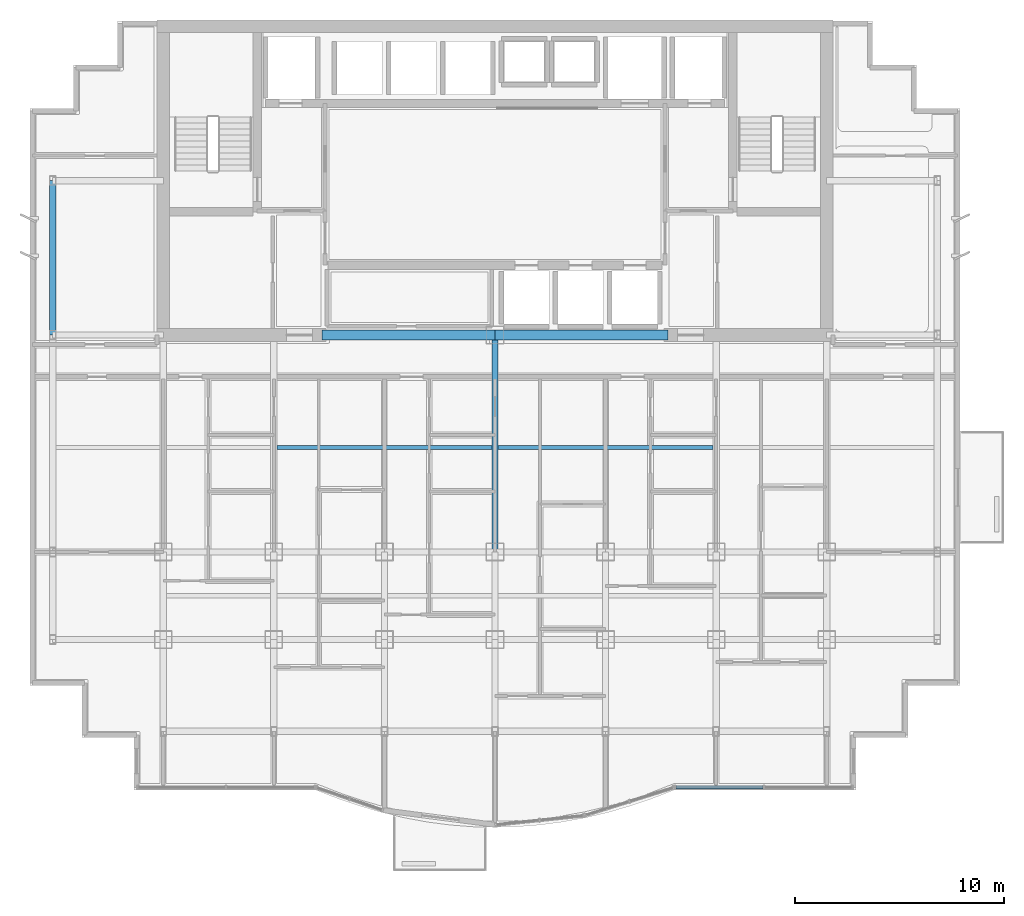
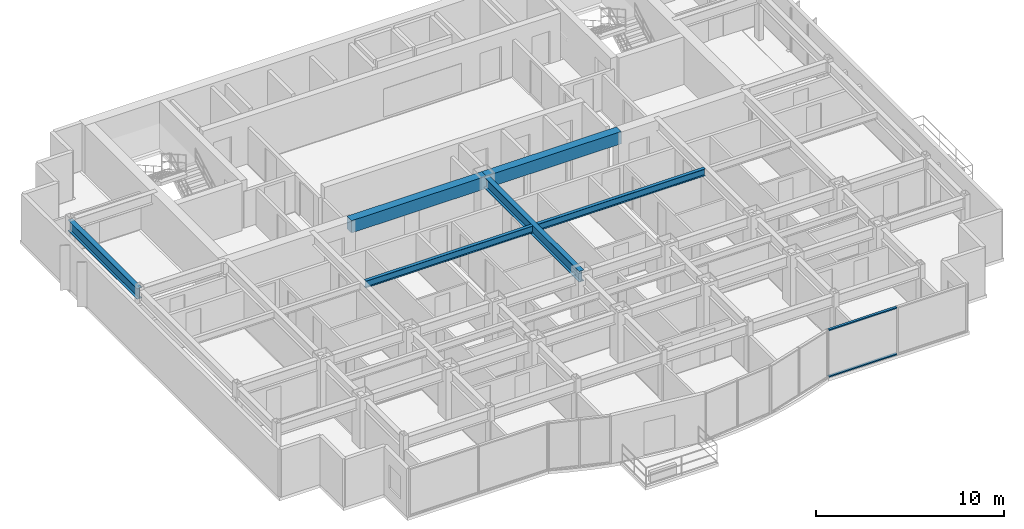
# One storey, part 3 of 11: 6 beams, 2 members, 1 element without a shape of its own.
"""IFC4 building model written with IfcOpenShell, lengths in metres."""

from ifc_helpers import new_model, si_unit, direction, frame, origin, origin_2d, place, context, subcontext, project, spatial, rectangle, i_section, extrude, source, transform, mapped, material, layer, layer_set, material_profile, profile_set, type_object, element, aggregate, save


model = new_model("IFC4")

# Units and contexts
model_context = context("Model", 3, precision=1e-05, world=origin(), true_north=direction((0.0, 1.0)))
body_context = subcontext(model_context, "Body", "Model", "MODEL_VIEW")
ifc_project = project(units=[si_unit("LENGTHUNIT", "METRE"), si_unit("AREAUNIT", "SQUARE_METRE"), si_unit("VOLUMEUNIT", "CUBIC_METRE"), si_unit("PLANEANGLEUNIT", "RADIAN"), si_unit("MASSUNIT", "GRAM", prefix="KILO")], contexts=[model_context])

# Site, building, storey
site_placement = place(None, origin())
site = spatial("IfcSite", under=ifc_project, at=site_placement, CompositionType="ELEMENT")
building_placement = place(site_placement, origin())
building = spatial("IfcBuilding", under=site, at=building_placement, Name="Qianlan Lanfeng Residences", CompositionType="ELEMENT")
storey_placement = place(building_placement, frame((0.0, 0.0, 165.60009765625)))
storey = spatial("IfcBuildingStorey", under=building, at=storey_placement, Name="L45", CompositionType="ELEMENT", Elevation=165.60009765625)

# Beams
ifc_material_1 = material(Name="Steel SN490B", Category="steel")
ifc_material_profile_1 = material_profile(ifc_material_1, i_section(OverallWidth=0.300048828125, OverallDepth=0.699951171875, WebThickness=0.012939453125, FlangeThickness=0.02392578125, at=origin_2d()), Name="H 700x300x13x24")
ifc_profile_set_1 = profile_set([ifc_material_profile_1], Name="Steel SN490B")
beam_type_1 = type_object("IfcBeamType", Name="G-750", PredefinedType="BEAM", material=ifc_profile_set_1)
beam_1_placement = place(storey_placement, frame((26.5, 14.800048828125, 2.75), z_axis=(0.0, 1.0, 0.0), x_axis=(-1.0, 0.0, 0.0)))
element("IfcBeam", 1, at=beam_1_placement, inside=storey, type_object=beam_type_1, Name="Structural beam G-750", PredefinedType="BEAM", context=body_context, shape_type="SweptSolid", body=[
    extrude(i_section(OverallWidth=0.300048828125, OverallDepth=0.699951171875, WebThickness=0.012939453125, FlangeThickness=0.02392578125, at=origin_2d()), origin(), (0.0, 0.0, 1.0), 10.39990234375),
])
ifc_material_profile_2 = material_profile(ifc_material_1, i_section(OverallWidth=0.199951171875, OverallDepth=0.449951171875, WebThickness=0.009033203125, FlangeThickness=0.013916015625, at=origin_2d()), Name="H 450x200x9x14")
ifc_profile_set_2 = profile_set([ifc_material_profile_2], Name="Steel SN490B")
beam_type_2 = type_object("IfcBeamType", Name="J-450", PredefinedType="JOIST", material=ifc_profile_set_2)
for number, where, z_axis, x_axis, name in (
    (2, (16.050048828125, 19.800048828125, 2.875), (1.0, 0.0, 0.0), (0.0, 1.0, 0.0), "Structural beam J-450"),
    (3, (26.64990234375, 19.800048828125, 2.875), (1.0, 0.0, 0.0), (0.0, 1.0, 0.0), "Structural beam J-450"),
):
    element("IfcBeam", number, at=place(storey_placement, frame(where, z_axis=z_axis, x_axis=x_axis)), inside=storey, type_object=beam_type_2, Name=name, PredefinedType="JOIST", context=body_context, shape_type="SweptSolid", body=[
        extrude(i_section(OverallWidth=0.199951171875, OverallDepth=0.449951171875, WebThickness=0.009033203125, FlangeThickness=0.013916015625, at=origin_2d()), origin(), (0.0, 0.0, 1.0), 10.300048828125),
    ])
ifc_material_2 = material(Name="Concrete C49", Category="concrete")
ifc_material_profile_3 = material_profile(ifc_material_2, rectangle(XDim=0.5, YDim=0.800048828125, at=origin_2d()), Name="RC 500x800")
ifc_profile_set_3 = profile_set([ifc_material_profile_3], Name="Concrete C49")
beam_type_3 = type_object("IfcBeamType", Name="LB-RC750", PredefinedType="BEAM", material=ifc_profile_set_3)
for number, where, z_axis, x_axis, name in (
    (4, (18.199951171875, 25.199951171875, 2.699951171875), (1.0, 0.0, 0.0), (0.0, 1.0, 0.0), "L45 Core Coupling Beam W"),
    (5, (26.5, 25.199951171875, 2.699951171875), (1.0, 0.0, 0.0), (0.0, 1.0, 0.0), "L45 Core Coupling Beam E"),
):
    element("IfcBeam", number, at=place(storey_placement, frame(where, z_axis=z_axis, x_axis=x_axis)), inside=storey, type_object=beam_type_3, Name=name, PredefinedType="BEAM", context=body_context, shape_type="SweptSolid", body=[
        extrude(rectangle(XDim=0.5, YDim=0.800048828125, at=origin_2d()), origin(), (0.0, 0.0, 1.0), 8.300048828125),
    ])
ifc_material_profile_4 = material_profile(ifc_material_1, i_section(OverallWidth=0.300048828125, OverallDepth=0.699951171875, WebThickness=0.012939453125, FlangeThickness=0.02392578125, at=origin_2d()), Name="H 700x300x13x24")
ifc_profile_set_4 = profile_set([ifc_material_profile_4], Name="Steel SN490B")
beam_type_4 = type_object("IfcBeamType", Name="SG-750", PredefinedType="SPANDREL", material=ifc_profile_set_4)
beam_2_placement = place(storey_placement, frame((5.300048828125, 25.199951171875, 2.739990234375), z_axis=(0.0, 1.0, 0.0), x_axis=(-1.0, 0.0, 0.0)))
element("IfcBeam", 6, at=beam_2_placement, inside=storey, type_object=beam_type_4, Name="Structural beam SG-750", PredefinedType="SPANDREL", context=body_context, shape_type="SweptSolid", body=[
    extrude(i_section(OverallWidth=0.300048828125, OverallDepth=0.699951171875, WebThickness=0.012939453125, FlangeThickness=0.02392578125, at=origin_2d()), origin(), (0.0, 0.0, 1.0), 7.400146484375),
])

# Curtain wall, members
ifc_material_3 = material(Name="Anodised Bronze Aluminium 6063-T6", Category="aluminium")
ifc_layer = layer(ifc_material_3, 0.219970703125)
ifc_layer_set = layer_set([ifc_layer], Name="Anodised Bronze Aluminium 6063-T6")
curtain_wall_type = type_object("IfcCurtainWallType", Name="CW-04", PredefinedType="NOTDEFINED", material=ifc_layer_set)
curtain_wall_placement = place(storey_placement, origin())
curtain_wall = element("IfcCurtainWall", 7, at=curtain_wall_placement, inside=storey, type_object=curtain_wall_type, Name="L45 Unitised Curtain Wall CWR-L45-05 (CW-04)", PredefinedType="NOTDEFINED")
ifc_material_profile_5 = material_profile(ifc_material_3, rectangle(XDim=0.074951171875, YDim=0.14990234375, at=origin_2d()), Name="ALU TRANSOM 75x150")
ifc_profile_set_5 = profile_set([ifc_material_profile_5], Name="Anodised Bronze Aluminium 6063-T6")
member_type = type_object("IfcMemberType", Name="CWT-150", PredefinedType="USERDEFINED", material=ifc_profile_set_5)
shared_shape = source(origin(), body_context, "Body", "SweptSolid", [
    extrude(rectangle(XDim=0.074951171875, YDim=0.14990234375, at=origin_2d()), origin(), (0.0, 0.0, 1.0), 4.178955078125),
])
member_1_placement = place(storey_placement, frame((35.172119140625, 3.52001953125, 0.037353515625), z_axis=(1.0, 0.0, 0.0), x_axis=(0.0, 0.0, 1.0)))
member_1 = element("IfcMember", 8, at=member_1_placement, type_object=member_type, Name="CWR-L45-05 Transom 1-BOT", ObjectType="TRANSOM", PredefinedType="USERDEFINED", context=body_context, shape_type="MappedRepresentation", body=[
    mapped(shared_shape, transform((0.0, 0.0, 0.0), scale=1.0)),
])
member_2_placement = place(storey_placement, frame((35.172119140625, 3.52001953125, 3.0625), z_axis=(1.0, 0.0, 0.0), x_axis=(0.0, 0.0, 1.0)))
member_2 = element("IfcMember", 9, at=member_2_placement, type_object=member_type, Name="CWR-L45-05 Transom 1-TOP", ObjectType="TRANSOM", PredefinedType="USERDEFINED", context=body_context, shape_type="MappedRepresentation", body=[
    mapped(shared_shape, transform((0.0, 0.0, 0.0), scale=1.0)),
])
aggregate(curtain_wall, [member_1, member_2])

save(model, "model.ifc")
